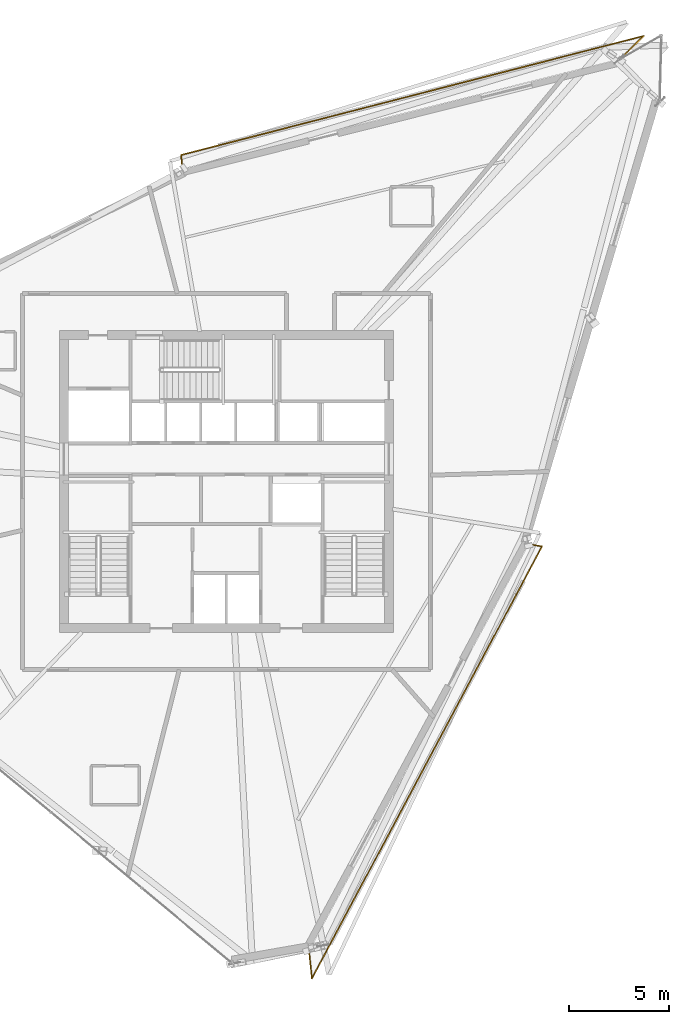
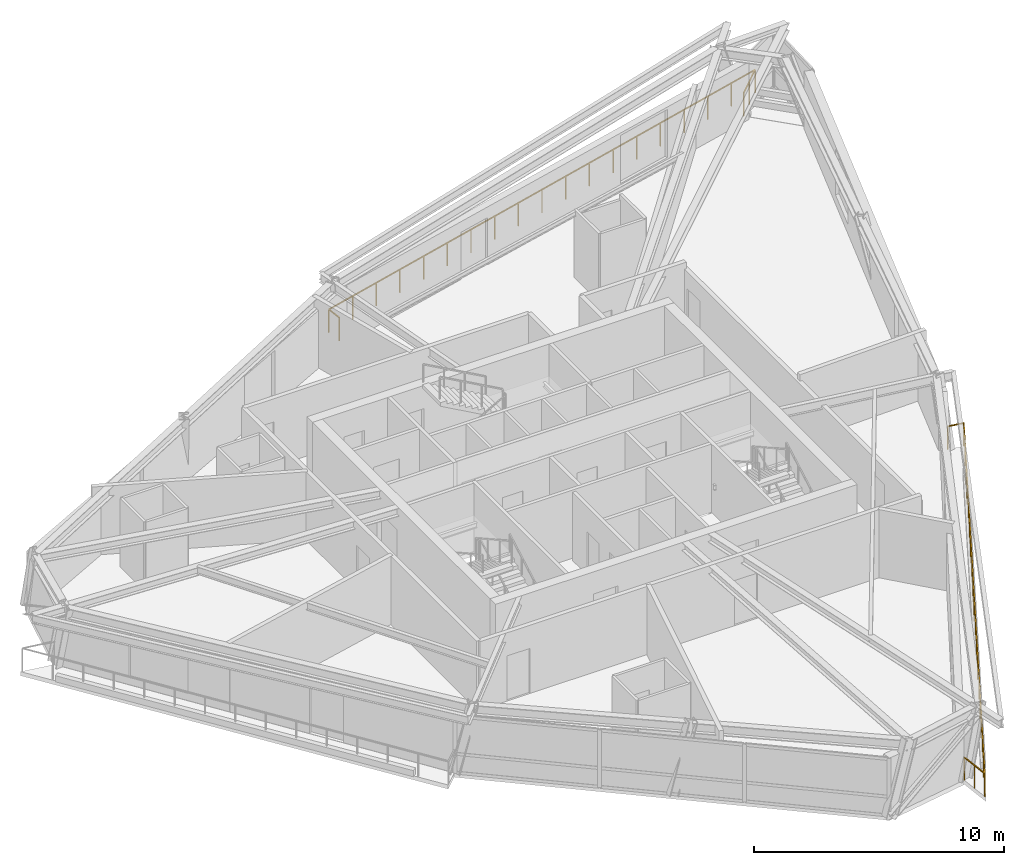
# One storey, part 14 of 14: 2 railings.
"""IFC4 building model written with IfcOpenShell, lengths in metres."""

from ifc_helpers import new_model, si_unit, direction, frame, origin, origin_2d, place, context, subcontext, project, spatial, rectangle, extrude, material, type_object, element, save


model = new_model("IFC4")

# Units and contexts
model_context = context("Model", 3, precision=1e-05, world=origin(), true_north=direction((0.0, 1.0)))
body_context = subcontext(model_context, "Body", "Model", "MODEL_VIEW")
ifc_project = project(units=[si_unit("LENGTHUNIT", "METRE"), si_unit("AREAUNIT", "SQUARE_METRE"), si_unit("VOLUMEUNIT", "CUBIC_METRE"), si_unit("PLANEANGLEUNIT", "RADIAN"), si_unit("MASSUNIT", "GRAM", prefix="KILO")], contexts=[model_context])

# Site, building, storey
site_placement = place(None, origin())
site = spatial("IfcSite", under=ifc_project, at=site_placement, CompositionType="ELEMENT")
building_placement = place(site_placement, origin())
building = spatial("IfcBuilding", under=site, at=building_placement, Name="Olszyna Solenne Hotel", CompositionType="ELEMENT")
storey_placement = place(building_placement, frame((0.0, 0.0, 220.25)))
storey = spatial("IfcBuildingStorey", under=building, at=storey_placement, Name="L58", CompositionType="ELEMENT", Elevation=220.25)

# Railings
ifc_material = material(Name="Anodised bronze aluminium", Category="aluminium")
railing_type = type_object("IfcRailingType", Name="GR-110", PredefinedType="BALUSTRADE", material=ifc_material)
railing_1_placement = place(storey_placement, frame((57.64111328125, 47.69482421875, 0.0)))
element("IfcRailing", 1, at=railing_1_placement, inside=storey, type_object=railing_type, Name="Loggia balcony balustrade guard GR-L58-LG1", PredefinedType="BALUSTRADE", context=body_context, shape_type="SweptSolid", body=[
    extrude(rectangle(XDim=0.048095703125, YDim=0.048095703125, at=origin_2d()), frame((0.0, 0.0, 1.1259765625), z_axis=(0.717845761575, 0.696202170773, 0.0), x_axis=(-0.696202170773, 0.717845761575, 0.0)), (0.0, 0.0, 1.0), 1.69189453125),
    extrude(rectangle(XDim=0.048095703125, YDim=0.048095703125, at=origin_2d()), frame((1.214599609375, 1.177978515625, 1.1259765625), z_axis=(-0.968437307854, -0.249257258183, 0.0), x_axis=(0.249257258183, -0.968437307854, 0.0)), (0.0, 0.0, 1.0), 23.874755859375),
    extrude(rectangle(XDim=0.048095703125, YDim=0.048095703125, at=origin_2d()), frame((-21.906494140625, -4.77294921875, 1.1259765625), z_axis=(0.101889116104, -0.994795761963, 0.0), x_axis=(0.994795761963, 0.101889116104, 0.0)), (0.0, 0.0, 1.0), 0.709228515625),
    extrude(rectangle(XDim=0.0419921875, YDim=0.0419921875, at=origin_2d()), origin(), (0.0, 0.0, 1.0), 1.101806640625),
    extrude(rectangle(XDim=0.0419921875, YDim=0.0419921875, at=origin_2d()), frame((0.607421875, 0.5888671875, 0.0)), (0.0, 0.0, 1.0), 1.101806640625),
    extrude(rectangle(XDim=0.0419921875, YDim=0.0419921875, at=origin_2d()), frame((1.214599609375, 1.177978515625, 0.0)), (0.0, 0.0, 1.0), 1.101806640625),
    extrude(rectangle(XDim=0.0419921875, YDim=0.0419921875, at=origin_2d()), frame((-0.06982421875, 0.847412109375, 0.0)), (0.0, 0.0, 1.0), 1.101806640625),
    extrude(rectangle(XDim=0.0419921875, YDim=0.0419921875, at=origin_2d()), frame((-1.3544921875, 0.516845703125, 0.0)), (0.0, 0.0, 1.0), 1.101806640625),
    extrude(rectangle(XDim=0.0419921875, YDim=0.0419921875, at=origin_2d()), frame((-2.638916015625, 0.18603515625, 0.0)), (0.0, 0.0, 1.0), 1.101806640625),
    extrude(rectangle(XDim=0.0419921875, YDim=0.0419921875, at=origin_2d()), frame((-3.92333984375, -0.14453125, 0.0)), (0.0, 0.0, 1.0), 1.101806640625),
    extrude(rectangle(XDim=0.0419921875, YDim=0.0419921875, at=origin_2d()), frame((-5.2080078125, -0.47509765625, 0.0)), (0.0, 0.0, 1.0), 1.101806640625),
    extrude(rectangle(XDim=0.0419921875, YDim=0.0419921875, at=origin_2d()), frame((-6.492431640625, -0.8056640625, 0.0)), (0.0, 0.0, 1.0), 1.101806640625),
    extrude(rectangle(XDim=0.0419921875, YDim=0.0419921875, at=origin_2d()), frame((-7.77685546875, -1.13623046875, 0.0)), (0.0, 0.0, 1.0), 1.101806640625),
    extrude(rectangle(XDim=0.0419921875, YDim=0.0419921875, at=origin_2d()), frame((-9.0615234375, -1.466796875, 0.0)), (0.0, 0.0, 1.0), 1.101806640625),
    extrude(rectangle(XDim=0.0419921875, YDim=0.0419921875, at=origin_2d()), frame((-10.345947265625, -1.79736328125, 0.0)), (0.0, 0.0, 1.0), 1.101806640625),
    extrude(rectangle(XDim=0.0419921875, YDim=0.0419921875, at=origin_2d()), frame((-11.63037109375, -2.128173828125, 0.0)), (0.0, 0.0, 1.0), 1.101806640625),
    extrude(rectangle(XDim=0.0419921875, YDim=0.0419921875, at=origin_2d()), frame((-12.9150390625, -2.458740234375, 0.0)), (0.0, 0.0, 1.0), 1.101806640625),
    extrude(rectangle(XDim=0.0419921875, YDim=0.0419921875, at=origin_2d()), frame((-14.199462890625, -2.789306640625, 0.0)), (0.0, 0.0, 1.0), 1.101806640625),
    extrude(rectangle(XDim=0.0419921875, YDim=0.0419921875, at=origin_2d()), frame((-15.48388671875, -3.119873046875, 0.0)), (0.0, 0.0, 1.0), 1.101806640625),
    extrude(rectangle(XDim=0.0419921875, YDim=0.0419921875, at=origin_2d()), frame((-16.7685546875, -3.450439453125, 0.0)), (0.0, 0.0, 1.0), 1.101806640625),
    extrude(rectangle(XDim=0.0419921875, YDim=0.0419921875, at=origin_2d()), frame((-18.052978515625, -3.78125, 0.0)), (0.0, 0.0, 1.0), 1.101806640625),
    extrude(rectangle(XDim=0.0419921875, YDim=0.0419921875, at=origin_2d()), frame((-19.33740234375, -4.11181640625, 0.0)), (0.0, 0.0, 1.0), 1.101806640625),
    extrude(rectangle(XDim=0.0419921875, YDim=0.0419921875, at=origin_2d()), frame((-20.6220703125, -4.4423828125, 0.0)), (0.0, 0.0, 1.0), 1.101806640625),
    extrude(rectangle(XDim=0.0419921875, YDim=0.0419921875, at=origin_2d()), frame((-21.906494140625, -4.77294921875, 0.0)), (0.0, 0.0, 1.0), 1.101806640625),
    extrude(rectangle(XDim=0.0419921875, YDim=0.0419921875, at=origin_2d()), frame((-21.834228515625, -5.478515625, 0.0)), (0.0, 0.0, 1.0), 1.101806640625),
])
railing_2_placement = place(storey_placement, frame((42.1279296875, 3.178466796875, 0.0)))
element("IfcRailing", 2, at=railing_2_placement, inside=storey, type_object=railing_type, Name="Loggia balcony balustrade guard GR-L58-LG3", PredefinedType="BALUSTRADE", context=body_context, shape_type="SweptSolid", body=[
    extrude(rectangle(XDim=0.048095703125, YDim=0.048095703125, at=origin_2d()), frame((0.0, 0.0, 1.1259765625), z_axis=(0.102059434874, -0.994778302816, 0.0), x_axis=(0.994778302816, 0.102059434874, 0.0)), (0.0, 0.0, 1.0), 1.41845703125),
    extrude(rectangle(XDim=0.048095703125, YDim=0.048095703125, at=origin_2d()), frame((0.144775390625, -1.4111328125, 1.1259765625), z_axis=(0.469966594941, 0.882684201535, 0.0), x_axis=(-0.882684201535, 0.469966594941, 0.0)), (0.0, 0.0, 1.0), 24.465576171875),
    extrude(rectangle(XDim=0.048095703125, YDim=0.048095703125, at=origin_2d()), frame((11.642822265625, 20.184326171875, 1.1259765625), z_axis=(-0.985578426004, 0.16921928435, 0.0), x_axis=(-0.16921928435, -0.985578426004, 0.0)), (0.0, 0.0, 1.0), 0.689697265625),
    extrude(rectangle(XDim=0.0419921875, YDim=0.0419921875, at=origin_2d()), origin(), (0.0, 0.0, 1.0), 1.101806640625),
    extrude(rectangle(XDim=0.0419921875, YDim=0.0419921875, at=origin_2d()), frame((0.072265625, -0.70556640625, 0.0)), (0.0, 0.0, 1.0), 1.101806640625),
    extrude(rectangle(XDim=0.0419921875, YDim=0.0419921875, at=origin_2d()), frame((0.144775390625, -1.4111328125, 0.0)), (0.0, 0.0, 1.0), 1.101806640625),
    extrude(rectangle(XDim=0.0419921875, YDim=0.0419921875, at=origin_2d()), frame((0.783447265625, -0.21142578125, 0.0)), (0.0, 0.0, 1.0), 1.101806640625),
    extrude(rectangle(XDim=0.0419921875, YDim=0.0419921875, at=origin_2d()), frame((1.42236328125, 0.98828125, 0.0)), (0.0, 0.0, 1.0), 1.101806640625),
    extrude(rectangle(XDim=0.0419921875, YDim=0.0419921875, at=origin_2d()), frame((2.06103515625, 2.18798828125, 0.0)), (0.0, 0.0, 1.0), 1.101806640625),
    extrude(rectangle(XDim=0.0419921875, YDim=0.0419921875, at=origin_2d()), frame((2.699951171875, 3.387939453125, 0.0)), (0.0, 0.0, 1.0), 1.101806640625),
    extrude(rectangle(XDim=0.0419921875, YDim=0.0419921875, at=origin_2d()), frame((3.338623046875, 4.587646484375, 0.0)), (0.0, 0.0, 1.0), 1.101806640625),
    extrude(rectangle(XDim=0.0419921875, YDim=0.0419921875, at=origin_2d()), frame((3.9775390625, 5.787353515625, 0.0)), (0.0, 0.0, 1.0), 1.101806640625),
    extrude(rectangle(XDim=0.0419921875, YDim=0.0419921875, at=origin_2d()), frame((4.6162109375, 6.987060546875, 0.0)), (0.0, 0.0, 1.0), 1.101806640625),
    extrude(rectangle(XDim=0.0419921875, YDim=0.0419921875, at=origin_2d()), frame((5.255126953125, 8.186767578125, 0.0)), (0.0, 0.0, 1.0), 1.101806640625),
    extrude(rectangle(XDim=0.0419921875, YDim=0.0419921875, at=origin_2d()), frame((5.893798828125, 9.38671875, 0.0)), (0.0, 0.0, 1.0), 1.101806640625),
    extrude(rectangle(XDim=0.0419921875, YDim=0.0419921875, at=origin_2d()), frame((6.532470703125, 10.58642578125, 0.0)), (0.0, 0.0, 1.0), 1.101806640625),
    extrude(rectangle(XDim=0.0419921875, YDim=0.0419921875, at=origin_2d()), frame((7.17138671875, 11.7861328125, 0.0)), (0.0, 0.0, 1.0), 1.101806640625),
    extrude(rectangle(XDim=0.0419921875, YDim=0.0419921875, at=origin_2d()), frame((7.81005859375, 12.98583984375, 0.0)), (0.0, 0.0, 1.0), 1.101806640625),
    extrude(rectangle(XDim=0.0419921875, YDim=0.0419921875, at=origin_2d()), frame((8.448974609375, 14.185546875, 0.0)), (0.0, 0.0, 1.0), 1.101806640625),
    extrude(rectangle(XDim=0.0419921875, YDim=0.0419921875, at=origin_2d()), frame((9.087646484375, 15.38525390625, 0.0)), (0.0, 0.0, 1.0), 1.101806640625),
    extrude(rectangle(XDim=0.0419921875, YDim=0.0419921875, at=origin_2d()), frame((9.7265625, 16.5849609375, 0.0)), (0.0, 0.0, 1.0), 1.101806640625),
    extrude(rectangle(XDim=0.0419921875, YDim=0.0419921875, at=origin_2d()), frame((10.365234375, 17.784912109375, 0.0)), (0.0, 0.0, 1.0), 1.101806640625),
    extrude(rectangle(XDim=0.0419921875, YDim=0.0419921875, at=origin_2d()), frame((11.004150390625, 18.984619140625, 0.0)), (0.0, 0.0, 1.0), 1.101806640625),
    extrude(rectangle(XDim=0.0419921875, YDim=0.0419921875, at=origin_2d()), frame((11.642822265625, 20.184326171875, 0.0)), (0.0, 0.0, 1.0), 1.101806640625),
    extrude(rectangle(XDim=0.0419921875, YDim=0.0419921875, at=origin_2d()), frame((10.963134765625, 20.301025390625, 0.0)), (0.0, 0.0, 1.0), 1.101806640625),
])

save(model, "model.ifc")
